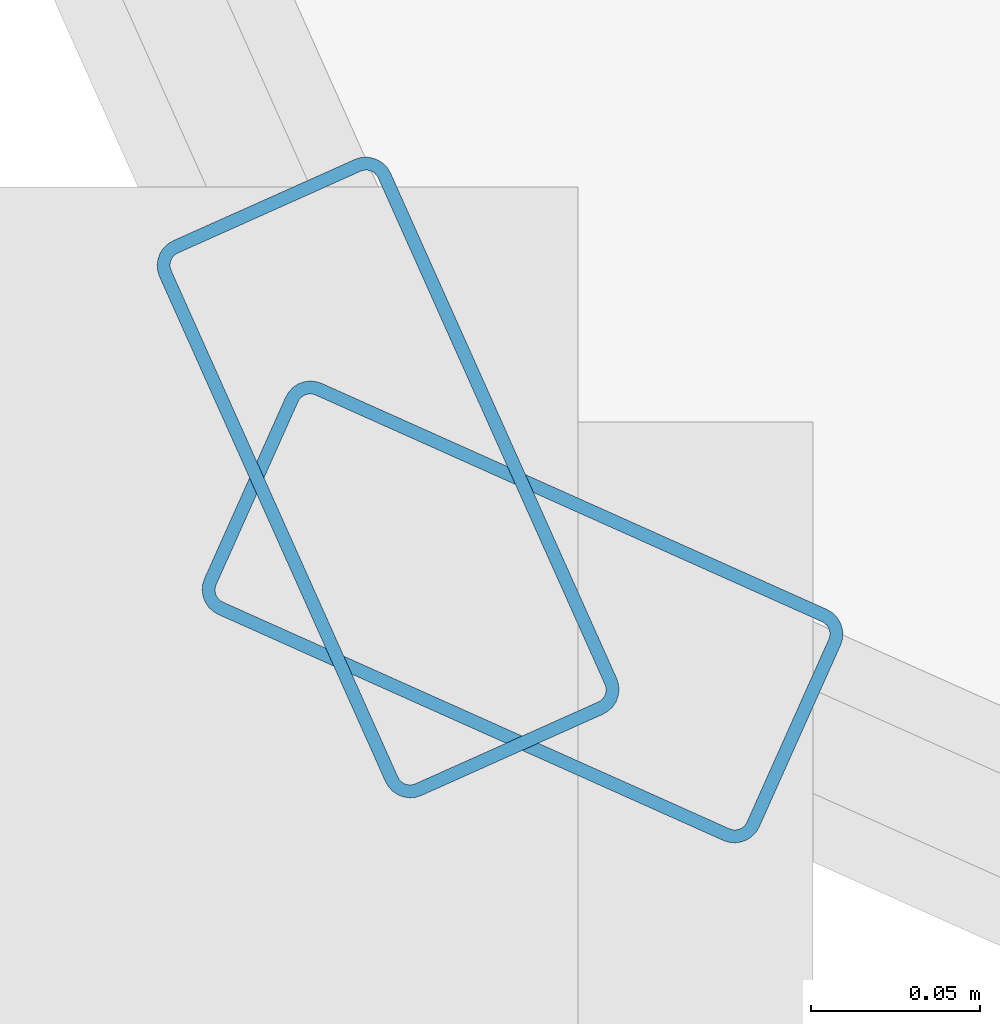
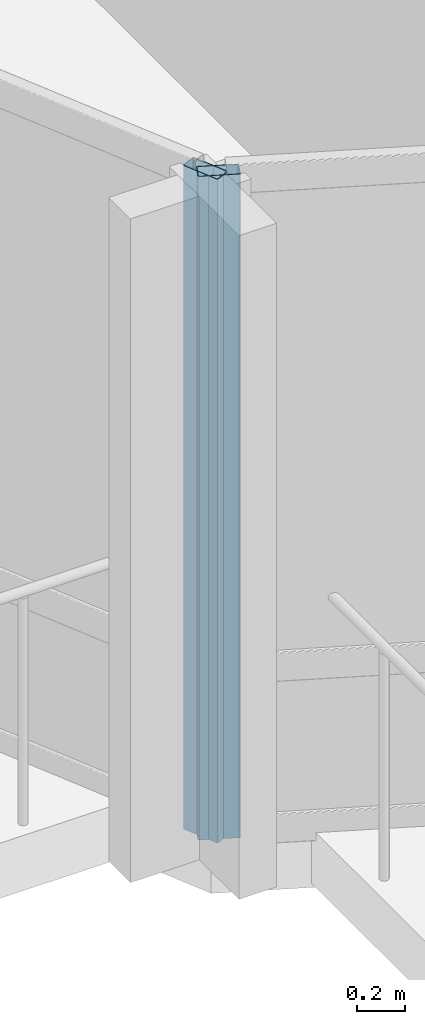
# One storey, part 2 of 19: 2 members, 2 elements without a shape of their own.
"""IFC4 building model written with IfcOpenShell, lengths in metres."""

from ifc_helpers import new_model, si_unit, direction, frame, origin, origin_2d, place, context, subcontext, project, spatial, hollow_rectangle, extrude, material, layer, layer_set, material_profile, profile_set, type_object, element, aggregate, save


model = new_model("IFC4")

# Units and contexts
model_context = context("Model", 3, precision=1e-05, world=origin(), true_north=direction((0.0, 1.0)))
body_context = subcontext(model_context, "Body", "Model", "MODEL_VIEW")
ifc_project = project(units=[si_unit("LENGTHUNIT", "METRE"), si_unit("AREAUNIT", "SQUARE_METRE"), si_unit("VOLUMEUNIT", "CUBIC_METRE"), si_unit("PLANEANGLEUNIT", "RADIAN"), si_unit("MASSUNIT", "GRAM", prefix="KILO")], contexts=[model_context])

# Site, building, storey
site_placement = place(None, origin())
site = spatial("IfcSite", under=ifc_project, at=site_placement, CompositionType="ELEMENT")
building_placement = place(site_placement, origin())
building = spatial("IfcBuilding", under=site, at=building_placement, Name="Solvaryn Broadcast Tower", CompositionType="ELEMENT")
storey_placement = place(building_placement, frame((0.0, 0.0, 293.699951171875)))
storey = spatial("IfcBuildingStorey", under=building, at=storey_placement, Name="L74", CompositionType="ELEMENT", Elevation=293.699951171875)

# Curtain wall, member
ifc_material_1 = material(Name="Aluminium and Terracotta Unitised Curtain Wall", Category="masonry")
ifc_layer = layer(ifc_material_1, 0.199951171875)
ifc_layer_set = layer_set([ifc_layer], Name="CW-SYS2-LOWMID")
curtain_wall_type = type_object("IfcCurtainWallType", Name="CW-SYS2-LOWMID", PredefinedType="NOTDEFINED", material=ifc_layer_set)
curtain_wall_1_placement = place(storey_placement, origin())
curtain_wall_1 = element("IfcCurtainWall", 1, at=curtain_wall_1_placement, inside=storey, type_object=curtain_wall_type, Name="L74 Curtain Wall DR2", PredefinedType="NOTDEFINED")
ifc_material_2 = material(Name="Anodised Aluminium 6063-T6", Category="aluminium")
ifc_material_profile = material_profile(ifc_material_2, hollow_rectangle(XDim=0.074951171875, YDim=0.179931640625, WallThickness=0.00390625, InnerFilletRadius=0.00390625, OuterFilletRadius=0.008056640625, at=origin_2d()))
ifc_profile_set = profile_set([ifc_material_profile], Name="Anodised Aluminium 6063-T6")
member_type = type_object("IfcMemberType", Name="CW-MUL-180", PredefinedType="MULLION", material=ifc_profile_set)
member_1_placement = place(storey_placement, frame((10.8046875, 10.844482421875, 0.0), z_axis=(0.0, 0.0, 1.0), x_axis=(0.912773530574, 0.408466010682, 0.0)))
member_1 = element("IfcMember", 2, at=member_1_placement, type_object=member_type, Name="CWS2 mullion 2", PredefinedType="MULLION", context=body_context, shape_type="SweptSolid", body=[
    extrude(hollow_rectangle(XDim=0.074951171875, YDim=0.179931640625, WallThickness=0.00390625, InnerFilletRadius=0.00390625, OuterFilletRadius=0.008056640625, at=origin_2d()), origin(), (0.0, 0.0, 1.0), 3.3701171875),
])
aggregate(curtain_wall_1, [member_1])

curtain_wall_2_placement = place(storey_placement, origin())
curtain_wall_2 = element("IfcCurtainWall", 3, at=curtain_wall_2_placement, inside=storey, type_object=curtain_wall_type, Name="L74 Curtain Wall DR3", PredefinedType="NOTDEFINED")
member_2_placement = place(storey_placement, frame((10.844482421875, 10.8046875, 0.0), z_axis=(0.0, 0.0, 1.0), x_axis=(0.408466010682, 0.912773530574, 0.0)))
member_2 = element("IfcMember", 4, at=member_2_placement, type_object=member_type, Name="CWS2 mullion 1", PredefinedType="MULLION", context=body_context, shape_type="SweptSolid", body=[
    extrude(hollow_rectangle(XDim=0.074951171875, YDim=0.179931640625, WallThickness=0.00390625, InnerFilletRadius=0.00390625, OuterFilletRadius=0.008056640625, at=origin_2d()), origin(), (0.0, 0.0, 1.0), 3.3701171875),
])
aggregate(curtain_wall_2, [member_2])

save(model, "model.ifc")
